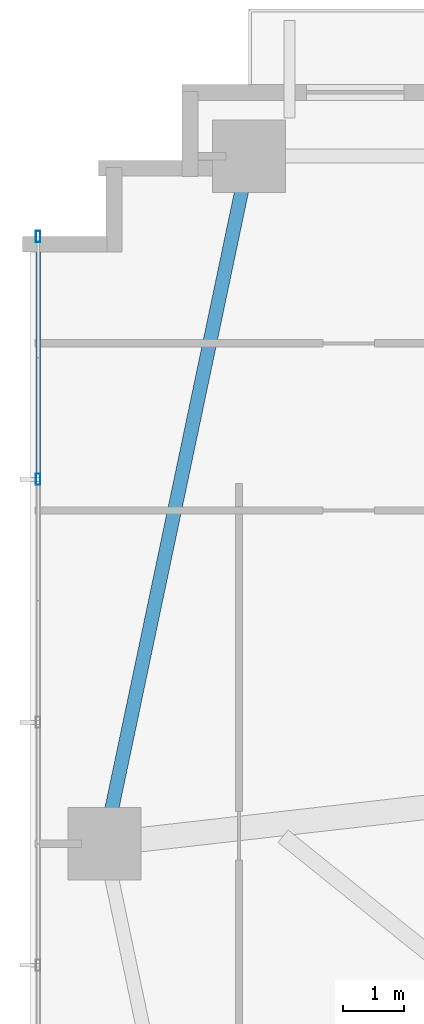
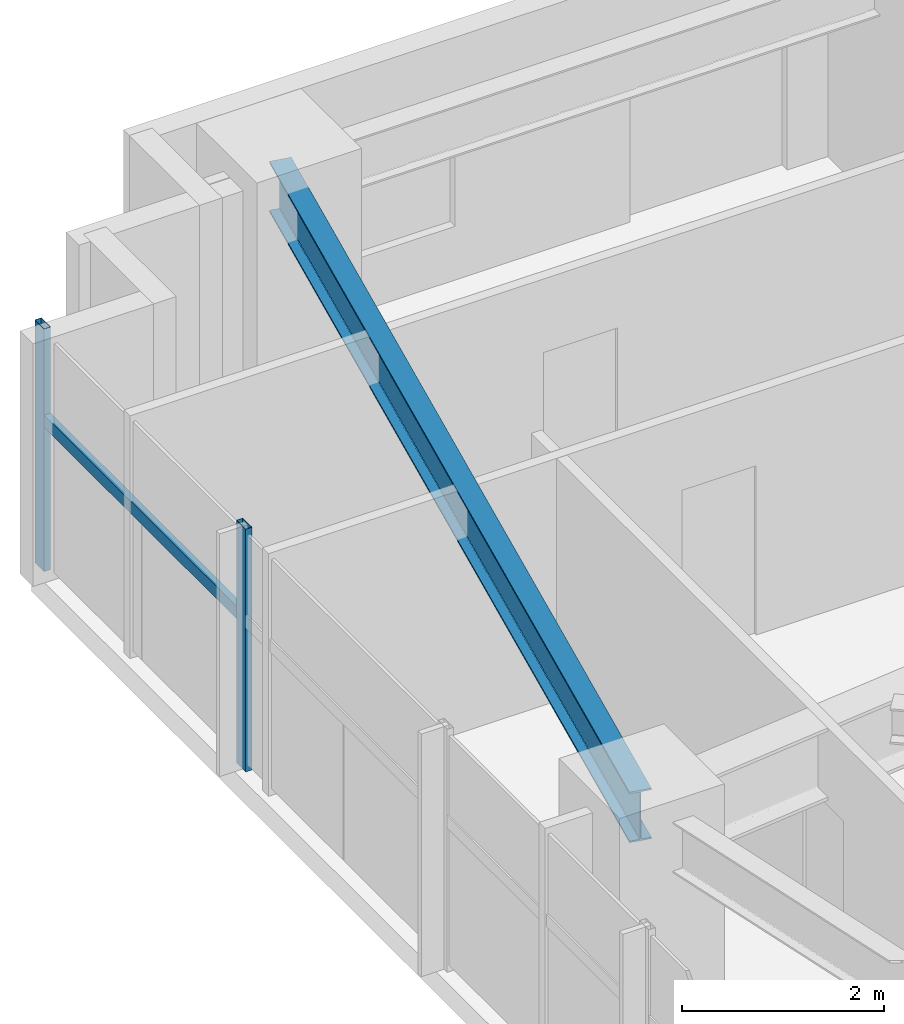
# One storey, part 8 of 25: 3 members, 1 beam, 1 element without a shape of its own.
"""IFC4 building model written with IfcOpenShell, lengths in metres."""

import ifcopenshell
import ifcopenshell.guid

model = None  # the IFC model being written
_history = None  # IfcOwnerHistory: only IFC2X3 demands one
_inside = {}  # id of a spatial element -> (the spatial element, [elements in it])
_under = {}  # id of a project, library or spatial element -> (it, [spatial elements below it])
_declared = {}  # id of a project -> (the project, [libraries it declares])
_typed = {}  # id of a type object -> (the type object, [elements of that type])
_made_of = {}  # id of a material, layer set ... -> (it, [elements and type objects made of it])


def new_model(schema):
    """Start an empty IFC model of exactly this schema.

    Asked for "IFC4X3", IfcOpenShell would pick the latest addendum, in which some entities
    have other attributes; the version numbers below select the first issue.
    IFC2X3 requires an IfcOwnerHistory on every rooted entity: one is made here for all.
    """
    global model, _history
    if schema == "IFC4X3":
        model = ifcopenshell.file(schema_version=(4, 3, 0, 0))
    else:
        model = ifcopenshell.file(schema=schema)
    _inside.clear()
    _under.clear()
    _declared.clear()
    _typed.clear()
    _made_of.clear()
    _history = None
    if model.schema == "IFC2X3":
        org = make("IfcOrganization", Name="unknown")
        user = make(
            "IfcPersonAndOrganization",
            ThePerson=make("IfcPerson", FamilyName="unknown"),
            TheOrganization=org,
        )
        app = make(
            "IfcApplication",
            ApplicationDeveloper=org,
            Version="unknown",
            ApplicationFullName="unknown",
            ApplicationIdentifier="unknown",
        )
        _history = make(
            "IfcOwnerHistory",
            OwningUser=user,
            OwningApplication=app,
            ChangeAction="ADDED",
            CreationDate=0,
        )
    return model


def make(cls, **values):
    """One entity of the class cls with the attributes given. An attribute that is None is left unset."""
    return model.create_entity(
        cls, **{name: value for name, value in values.items() if value is not None}
    )


def rooted(cls, **values):
    """An entity with a GlobalId (a new one), such as an element, a storey or a relation."""
    return make(cls, GlobalId=ifcopenshell.guid.new(), OwnerHistory=_history, **values)


def si_unit(unit_type, name, prefix=None):
    """IfcSIUnit, for example si_unit("LENGTHUNIT", "METRE", prefix="MILLI")."""
    return make("IfcSIUnit", UnitType=unit_type, Prefix=prefix, Name=name)


def assignment(units):
    """IfcUnitAssignment: the units of a project."""
    return None if units is None else make("IfcUnitAssignment", Units=units)


def point(xyz):
    """IfcCartesianPoint."""
    return None if xyz is None else make("IfcCartesianPoint", Coordinates=xyz)


def direction(xyz):
    """IfcDirection."""
    return None if xyz is None else make("IfcDirection", DirectionRatios=xyz)


def frame(location, z_axis=None, x_axis=None):
    """IfcAxis2Placement3D, a coordinate frame: its origin and axes. An axis left out is left unset."""
    return make(
        "IfcAxis2Placement3D",
        Location=point(location),
        Axis=direction(z_axis),
        RefDirection=direction(x_axis),
    )


def frame_2d(location, x_axis=None):
    """IfcAxis2Placement2D, a coordinate frame in the plane: its origin and x axis."""
    return make(
        "IfcAxis2Placement2D", Location=point(location), RefDirection=direction(x_axis)
    )


def origin():
    """The frame at (0, 0, 0) with its axes left unset."""
    return frame((0.0, 0.0, 0.0))


def origin_2d():
    """The frame at (0, 0) in the plane with its x axis left unset."""
    return frame_2d((0.0, 0.0))


def place(relative_to, where):
    """IfcLocalPlacement: puts the frame where relative to a parent placement (None: the world)."""
    return make(
        "IfcLocalPlacement", PlacementRelTo=relative_to, RelativePlacement=where
    )


def context(
    kind, dimensions, precision=None, world=None, true_north=None, identifier=None
):
    """IfcGeometricRepresentationContext, for example the 3D "Model" context."""
    return make(
        "IfcGeometricRepresentationContext",
        ContextIdentifier=identifier,
        ContextType=kind,
        CoordinateSpaceDimension=dimensions,
        Precision=precision,
        WorldCoordinateSystem=world,
        TrueNorth=true_north,
    )


def subcontext(parent, identifier, kind, view, scale=None):
    """IfcGeometricRepresentationSubContext, for example "Body" below "Model"."""
    return make(
        "IfcGeometricRepresentationSubContext",
        ContextIdentifier=identifier,
        ContextType=kind,
        ParentContext=parent,
        TargetScale=scale,
        TargetView=view,
    )


def project(units=None, contexts=None):
    """IfcProject with its units and contexts."""
    return rooted(
        "IfcProject",
        Name="project",
        RepresentationContexts=contexts,
        UnitsInContext=assignment(units),
    )


def spatial(cls, under=None, at=None, **own):
    """A site, building, storey or space (cls), placed at a placement, below another one or the project."""
    s = rooted(cls, ObjectPlacement=at, **own)
    if under is not None:
        _under.setdefault(under.id(), (under, []))[1].append(s)
    return s


def profile(cls, at=None, kind="AREA", **sizes):
    """A parametric profile (cls). Its sizes go by their IFC names, for example OverallWidth=200.0."""
    return make(cls, ProfileType=kind, Position=at, **sizes)


def hollow_rectangle(**sizes):
    """IfcRectangleHollowProfileDef."""
    return profile("IfcRectangleHollowProfileDef", **sizes)


def i_section(**sizes):
    """IfcIShapeProfileDef."""
    return profile("IfcIShapeProfileDef", **sizes)


def extrude(swept, where, along, depth):
    """IfcExtrudedAreaSolid: the profile swept, set in the frame where, extruded along a direction by depth."""
    return make(
        "IfcExtrudedAreaSolid",
        SweptArea=swept,
        Position=where,
        ExtrudedDirection=direction(along),
        Depth=depth,
    )


def shape(context_of_items, identifier, shape_type, items):
    """IfcShapeRepresentation: the items that make up one representation, for example the "Body"."""
    return make(
        "IfcShapeRepresentation",
        ContextOfItems=context_of_items,
        RepresentationIdentifier=identifier,
        RepresentationType=shape_type,
        Items=items,
    )


def source(mapping_origin, context_of_items, identifier, shape_type, items):
    """IfcRepresentationMap: a shape defined once, which mapped items show again and again."""
    return make(
        "IfcRepresentationMap",
        MappingOrigin=mapping_origin,
        MappedRepresentation=shape(context_of_items, identifier, shape_type, items),
    )


def transform(
    local_origin,
    x_axis=None,
    y_axis=None,
    z_axis=None,
    scale=None,
    scale2=None,
    scale3=None,
    uniform=True,
):
    """IfcCartesianTransformationOperator3D, or its non-uniform kind. x_axis, y_axis, z_axis: its Axis1, 2, 3."""
    if uniform:
        return make(
            "IfcCartesianTransformationOperator3D",
            Axis1=direction(x_axis),
            Axis2=direction(y_axis),
            LocalOrigin=point(local_origin),
            Scale=scale,
            Axis3=direction(z_axis),
        )
    return make(
        "IfcCartesianTransformationOperator3DnonUniform",
        Axis1=direction(x_axis),
        Axis2=direction(y_axis),
        LocalOrigin=point(local_origin),
        Scale=scale,
        Axis3=direction(z_axis),
        Scale2=scale2,
        Scale3=scale3,
    )


def mapped(mapping_source, mapping_target):
    """IfcMappedItem: shows the shape of a source again, moved by a transform."""
    return make(
        "IfcMappedItem", MappingSource=mapping_source, MappingTarget=mapping_target
    )


def material(Name=None, Category=None):
    """IfcMaterial."""
    return make("IfcMaterial", Name=Name, Category=Category)


def material_profile(
    of_material, cross_section, Name=None, Category=None, Priority=None
):
    """IfcMaterialProfile: a cross section and its material."""
    return make(
        "IfcMaterialProfile",
        Name=Name,
        Material=of_material,
        Profile=cross_section,
        Priority=Priority,
        Category=Category,
    )


def profile_set(profiles, Name=None, composite=None):
    """IfcMaterialProfileSet."""
    return make(
        "IfcMaterialProfileSet",
        Name=Name,
        MaterialProfiles=profiles,
        CompositeProfile=composite,
    )


def made_of(thing, what):
    """Note that an element or type object is made of a material, layer set ...; save() writes the relation."""
    if what is not None:
        _made_of.setdefault(what.id(), (what, []))[1].append(thing)
    return thing


def type_object(cls, material=None, **own):
    """A type object (cls), such as IfcWallType, which elements share."""
    return made_of(rooted(cls, **own), material)


def type_shapes(of_type, sources):
    """Give a type object the sources (RepresentationMaps) that its elements show as mapped items."""
    of_type.RepresentationMaps = sources


def element(
    cls,
    number,
    at=None,
    inside=None,
    cuts=None,
    type_object=None,
    material=None,
    context=None,
    identifier="Body",
    shape_type=None,
    held_by="IfcProductDefinitionShape",
    body=None,
    shapes=None,
    **own,
):
    """One element of the class cls, such as IfcWall. Its Tag is "e" and its number.

    at: its placement. inside: the storey or other place that contains it. cuts: it is an
    opening in that element (IfcRelVoidsElement). A single representation is given by context,
    identifier, shape_type and body (its items); several are given by shapes. held_by: the class
    of the entity that holds the representations. save() writes the other relations.
    """
    e = rooted(cls, Tag="e%d" % number, ObjectPlacement=at, **own)
    if body is not None:
        shapes = [shape(context, identifier, shape_type, body)]
    if shapes is not None:
        e.Representation = make(held_by, Representations=shapes)
    if inside is not None:
        _inside.setdefault(inside.id(), (inside, []))[1].append(e)
    if cuts is not None:
        rooted(
            "IfcRelVoidsElement", RelatingBuildingElement=cuts, RelatedOpeningElement=e
        )
    if type_object is not None:
        _typed.setdefault(type_object.id(), (type_object, []))[1].append(e)
    return made_of(e, material)


def aggregate(whole, parts):
    """IfcRelAggregates: a whole, such as a stair, and the parts it consists of."""
    return rooted("IfcRelAggregates", RelatingObject=whole, RelatedObjects=parts)


def save(model, path):
    """Write the relations noted so far, then the file.

    IfcRelAggregates (storeys below a building ...), IfcRelContainedInSpatialStructure (elements
    in a storey), IfcRelDefinesByType, IfcRelAssociatesMaterial and IfcRelDeclares: one each for
    every whole, place, type object, material and project.
    """
    for whole, parts in _under.values():
        aggregate(whole, parts)
    for where, things in _inside.values():
        rooted(
            "IfcRelContainedInSpatialStructure",
            RelatedElements=things,
            RelatingStructure=where,
        )
    for kind, things in _typed.values():
        rooted("IfcRelDefinesByType", RelatedObjects=things, RelatingType=kind)
    for what, things in _made_of.values():
        rooted("IfcRelAssociatesMaterial", RelatedObjects=things, RelatingMaterial=what)
    for by, libraries in _declared.values():
        rooted("IfcRelDeclares", RelatingContext=by, RelatedDefinitions=libraries)
    model.write(path)


model = new_model("IFC4")

# Units and contexts
model_context = context("Model", 3, precision=1e-05, world=origin(), true_north=direction((0.0, 1.0)))
body_context = subcontext(model_context, "Body", "Model", "MODEL_VIEW")
ifc_project = project(units=[si_unit("LENGTHUNIT", "METRE"), si_unit("AREAUNIT", "SQUARE_METRE"), si_unit("VOLUMEUNIT", "CUBIC_METRE"), si_unit("PLANEANGLEUNIT", "RADIAN"), si_unit("MASSUNIT", "GRAM", prefix="KILO")], contexts=[model_context])

# Site, building, storey
site_placement = place(None, origin())
site = spatial("IfcSite", under=ifc_project, at=site_placement, CompositionType="ELEMENT")
building_placement = place(site_placement, origin())
building = spatial("IfcBuilding", under=site, at=building_placement, Name="Astriad Promenade Condominiums", CompositionType="ELEMENT")
storey_placement = place(building_placement, frame((0.0, 0.0, 58.199951171875)))
storey = spatial("IfcBuildingStorey", under=building, at=storey_placement, Name="L16", CompositionType="ELEMENT", Elevation=58.199951171875)

# Beam
ifc_material_1 = material(Name="Steel ASTM A992 Grade 50", Category="steel")
ifc_material_profile_1 = material_profile(ifc_material_1, i_section(OverallWidth=0.22900390625, OverallDepth=0.612060546875, WebThickness=0.011962890625, FlangeThickness=0.01953125, FilletRadius=0.017822265625, at=origin_2d()), Name="W24X84")
ifc_profile_set_1 = profile_set([ifc_material_profile_1], Name="Steel ASTM A992 Grade 50")
beam_type = type_object("IfcBeamType", Name="STEEL SPANDREL BEAM W24X84", PredefinedType="SPANDREL", material=ifc_profile_set_1)
shared_shape_1 = source(origin(), body_context, "Body", "SweptSolid", [
    extrude(i_section(OverallWidth=0.22900390625, OverallDepth=0.612060546875, WebThickness=0.011962890625, FlangeThickness=0.01953125, FilletRadius=0.017822265625, at=origin_2d()), origin(), (0.0, 0.0, 1.0), 11.48779296875),
])
type_shapes(beam_type, [shared_shape_1])
beam_placement = place(storey_placement, frame((9.391845703125, 26.48095703125, 2.634033203125), z_axis=(-0.205743776427, -0.978605895374, 0.0), x_axis=(0.978605895374, -0.205743776427, 0.0)))
element("IfcBeam", 1, at=beam_placement, inside=storey, type_object=beam_type, Name="Perimeter Spandrel Beam SP-W2-L16", PredefinedType="SPANDREL", context=body_context, shape_type="MappedRepresentation", body=[
    mapped(shared_shape_1, transform((0.0, 0.0, 0.0), scale=1.0)),
])

# Curtain wall, members
ifc_material_2 = material(Name="Anodised aluminium Black Dark Glass Unitised", Category="aluminium")
curtain_wall_type = type_object("IfcCurtainWallType", Name="CW-B1-DARK", PredefinedType="USERDEFINED", material=ifc_material_2)
curtain_wall_placement = place(storey_placement, origin())
curtain_wall = element("IfcCurtainWall", 2, at=curtain_wall_placement, inside=storey, type_object=curtain_wall_type, Name="CW-L16-W", ObjectType="UNITISED_CURTAIN_WALL", PredefinedType="USERDEFINED")
ifc_material_3 = material(Name="Anodised aluminium 6063-T6 Black", Category="aluminium")
ifc_material_profile_2 = material_profile(ifc_material_3, hollow_rectangle(XDim=0.074951171875, YDim=0.18505859375, WallThickness=0.00439453125, at=origin_2d()), Name="ALU-MUL-75X185")
ifc_profile_set_2 = profile_set([ifc_material_profile_2], Name="Anodised aluminium 6063-T6 Black")
member_type_1 = type_object("IfcMemberType", Name="MUL-ALU-MUL-75X185", PredefinedType="MULLION", material=ifc_profile_set_2)
shared_shape_2 = source(origin(), body_context, "Body", "SweptSolid", [
    extrude(hollow_rectangle(XDim=0.074951171875, YDim=0.18505859375, WallThickness=0.00439453125, at=origin_2d()), origin(), (0.0, 0.0, 1.0), 2.93994140625),
])
type_shapes(member_type_1, [shared_shape_2])
member_1_placement = place(storey_placement, frame((5.929931640625, 21.199951171875, 0.0), z_axis=(0.0, 0.0, 1.0), x_axis=(1.0, 0.0, 0.0)))
member_1 = element("IfcMember", 3, at=member_1_placement, type_object=member_type_1, Name="CW-L16-W-MUL-04", PredefinedType="MULLION", context=body_context, shape_type="MappedRepresentation", body=[
    mapped(shared_shape_2, transform((0.0, 0.0, 0.0), scale=1.0)),
])
member_2_placement = place(storey_placement, frame((5.929931640625, 25.199951171875, 0.0), z_axis=(0.0, 0.0, 1.0), x_axis=(1.0, 0.0, 0.0)))
member_2 = element("IfcMember", 4, at=member_2_placement, type_object=member_type_1, Name="CW-L16-W-MUL-05", PredefinedType="MULLION", context=body_context, shape_type="MappedRepresentation", body=[
    mapped(shared_shape_2, transform((0.0, 0.0, 0.0), scale=1.0)),
])
ifc_material_profile_3 = material_profile(ifc_material_3, hollow_rectangle(XDim=0.074951171875, YDim=0.14990234375, WallThickness=0.004150390625, at=origin_2d()), Name="ALU-TRN-75X150")
ifc_profile_set_3 = profile_set([ifc_material_profile_3], Name="Anodised aluminium 6063-T6 Black")
member_type_2 = type_object("IfcMemberType", Name="TRN-ALU-TRN-75X150", PredefinedType="USERDEFINED", material=ifc_profile_set_3)
shared_shape_3 = source(origin(), body_context, "Body", "SweptSolid", [
    extrude(hollow_rectangle(XDim=0.074951171875, YDim=0.14990234375, WallThickness=0.004150390625, at=origin_2d()), origin(), (0.0, 0.0, 1.0), 4.0),
])
type_shapes(member_type_2, [shared_shape_3])
member_3_placement = place(storey_placement, frame((5.929931640625, 21.199951171875, 1.82275390625), z_axis=(0.0, 1.0, 0.0), x_axis=(-1.0, 0.0, 0.0)))
member_3 = element("IfcMember", 5, at=member_3_placement, type_object=member_type_2, Name="CW-L16-W-TRN-04-0", ObjectType="TRANSOM", PredefinedType="USERDEFINED", context=body_context, shape_type="MappedRepresentation", body=[
    mapped(shared_shape_3, transform((0.0, 0.0, 0.0), scale=1.0)),
])
aggregate(curtain_wall, [member_1, member_2, member_3])

save(model, "model.ifc")
